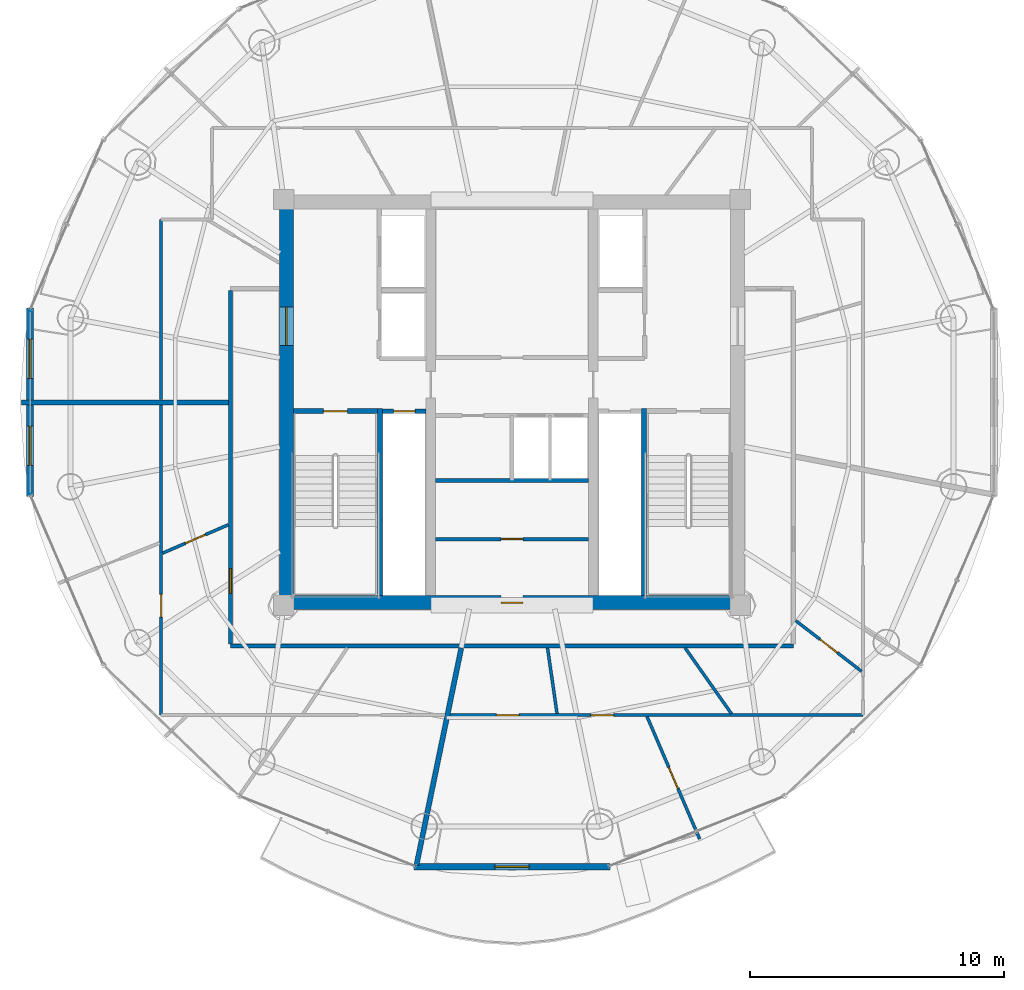
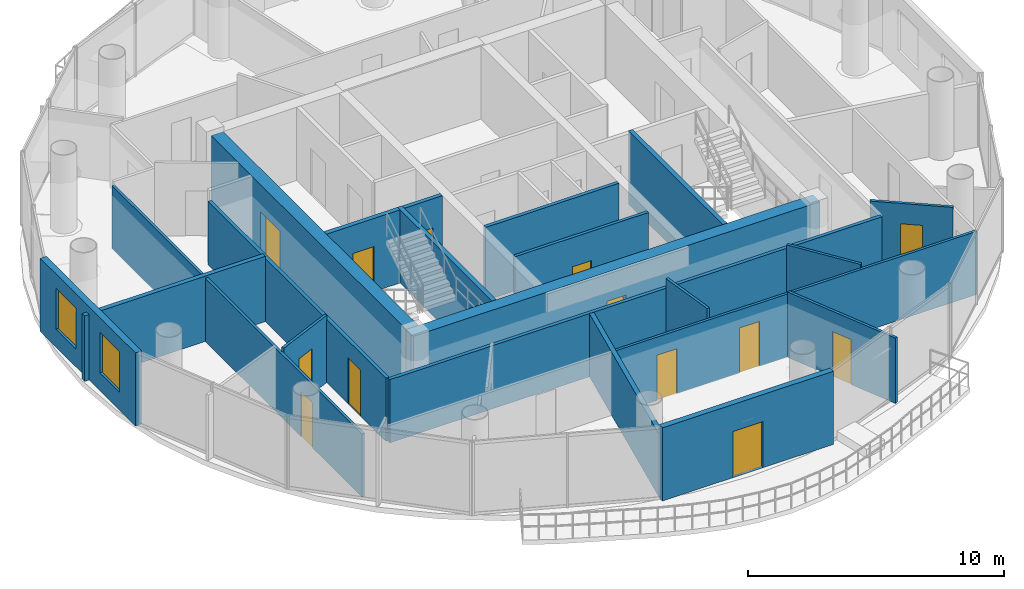
# One storey, part 17 of 23: 22 walls, 13 doors, 2 windows, 15 openings.
"""IFC4 building model written with IfcOpenShell, lengths in metres."""

from ifc_helpers import new_model, si_unit, direction, frame, frame_2d, origin, place, context, subcontext, project, spatial, rectangle, extrude, source, transform, mapped, material, layer, layer_set, type_object, element, fill, save


model = new_model("IFC4")

# Units and contexts
model_context = context("Model", 3, precision=1e-05, world=origin(), true_north=direction((-0.2419218956, 0.970295726276)))
body_context = subcontext(model_context, "Body", "Model", "MODEL_VIEW")
ifc_project = project(units=[si_unit("LENGTHUNIT", "METRE"), si_unit("AREAUNIT", "SQUARE_METRE"), si_unit("VOLUMEUNIT", "CUBIC_METRE"), si_unit("PLANEANGLEUNIT", "RADIAN"), si_unit("MASSUNIT", "GRAM", prefix="KILO")], contexts=[model_context])

# Site, building, storey
site_placement = place(None, origin())
site = spatial("IfcSite", under=ifc_project, at=site_placement, CompositionType="ELEMENT")
building_placement = place(site_placement, origin())
building = spatial("IfcBuilding", under=site, at=building_placement, Name="Cobrevalo Terracotta Tower", CompositionType="ELEMENT")
storey_placement = place(building_placement, frame((0.0, 0.0, 263.199951171875)))
storey = spatial("IfcBuildingStorey", under=building, at=storey_placement, Name="L69", CompositionType="ELEMENT", Elevation=263.199951171875)

# Wall, opening, door
ifc_material_1 = material(Name="Concrete C50", Category="concrete")
ifc_layer_1 = layer(ifc_material_1, 0.550048828125)
ifc_layer_set_1 = layer_set([ifc_layer_1], Name="Concrete C50")
wall_type_1 = type_object("IfcWallType", Name="Core shear wall 550 mm Concrete C50", PredefinedType="SHEAR", material=ifc_layer_set_1)
wall_1_placement = place(storey_placement, frame((28.824951171875, 18.89990234375, 0.0), z_axis=(0.0, 0.0, 1.0), x_axis=(1.0, 0.0, 0.0)))
wall_1 = element("IfcWall", 1, at=wall_1_placement, inside=storey, type_object=wall_type_1, Name="L69 south core shear wall", PredefinedType="SHEAR", context=body_context, shape_type="SweptSolid", body=[
    extrude(rectangle(XDim=18.35009765625, YDim=0.550048828125, at=frame_2d((9.175048828125, 0.0))), origin(), (0.0, 0.0, 1.0), 3.489990234375),
])
opening_1_placement = place(wall_1_placement, frame((8.75, 0.0, 0.0)))
opening_1 = element("IfcOpeningElement", 2, at=opening_1_placement, cuts=wall_1, Name="Opening ID-22", PredefinedType="OPENING", context=body_context, shape_type="SweptSolid", body=[
    extrude(rectangle(XDim=0.85009765625, YDim=2.10009765625, at=frame_2d((0.425048828125, 1.050048828125))), frame((0.0, 0.28515625, 0.0), z_axis=(0.0, -1.0, 0.0), x_axis=(1.0, 0.0, 0.0)), (0.0, 0.0, 1.0), 0.570068359375),
])
ifc_material_2 = material(Name="Powder-coated steel", Category="steel")
door_type_1 = type_object("IfcDoorType", Name="Riser shaft & meter closet fire access door 850x2100 EI 60", OperationType="NOTDEFINED", PredefinedType="DOOR", material=ifc_material_2)
shared_shape_1 = source(origin(), body_context, "Body", "SweptSolid", [
    extrude(rectangle(XDim=0.85009765625, YDim=2.10009765625, at=frame_2d((0.425048828125, 1.050048828125))), frame((0.0, 0.02490234375, 0.0), z_axis=(0.0, -1.0, 0.0), x_axis=(1.0, 0.0, 0.0)), (0.0, 0.0, 1.0), 0.050048828125),
])
door_1_placement = place(opening_1_placement, origin())
door_1 = element("IfcDoor", 3, at=door_1_placement, inside=storey, type_object=door_type_1, Name="L69 core south plant door Smoke Extract Fan Plant", OperationType="SINGLE_SWING_RIGHT", OverallHeight=2.10009765625, OverallWidth=0.85009765625, PredefinedType="DOOR", context=body_context, shape_type="MappedRepresentation", body=[
    mapped(shared_shape_1, transform((0.0, 0.0, 0.0), scale=1.0)),
])
fill(opening_1, door_1)

wall_2_placement = place(storey_placement, frame((29.10009765625, 19.175048828125, 0.0), z_axis=(0.0, 0.0, 1.0), x_axis=(0.0, 1.0, 0.0)))
wall_2 = element("IfcWall", 4, at=wall_2_placement, inside=storey, type_object=wall_type_1, Name="L69 west core shear wall", PredefinedType="SHEAR", context=body_context, shape_type="SweptSolid", body=[
    extrude(rectangle(XDim=15.25, YDim=0.550048828125, at=frame_2d((7.625, 0.0))), origin(), (0.0, 0.0, 1.0), 3.489990234375),
])
opening_2_placement = place(wall_2_placement, frame((9.875, 0.0, 0.0)))
opening_2 = element("IfcOpeningElement", 5, at=opening_2_placement, cuts=wall_2, Name="Opening ID-14", PredefinedType="OPENING", context=body_context, shape_type="SweptSolid", body=[
    extrude(rectangle(XDim=1.5, YDim=2.199951171875, at=frame_2d((0.75, 1.10009765625))), frame((0.0, 0.28515625, 0.0), z_axis=(0.0, -1.0, 0.0), x_axis=(1.0, 0.0, 0.0)), (0.0, 0.0, 1.0), 0.570068359375),
])
ifc_material_3 = material(Name="Galvanized fire-rated steel", Category="steel")
door_type_2 = type_object("IfcDoorType", Name="Core cross-lobby double fire door 1500x2200 EI 90", OperationType="NOTDEFINED", PredefinedType="DOOR", material=ifc_material_3)
shared_shape_2 = source(origin(), body_context, "Body", "SweptSolid", [
    extrude(rectangle(XDim=1.5, YDim=2.199951171875, at=frame_2d((0.75, 1.10009765625))), frame((0.0, 0.02490234375, 0.0), z_axis=(0.0, -1.0, 0.0), x_axis=(1.0, 0.0, 0.0)), (0.0, 0.0, 1.0), 0.050048828125),
])
door_2_placement = place(opening_2_placement, origin())
door_2 = element("IfcDoor", 6, at=door_2_placement, inside=storey, type_object=door_type_2, Name="L69 west firefighting lobby entrance door", OperationType="DOUBLE_DOOR_SINGLE_SWING", OverallHeight=2.199951171875, OverallWidth=1.5, PredefinedType="DOOR", context=body_context, shape_type="MappedRepresentation", body=[
    mapped(shared_shape_2, transform((0.0, 0.0, 0.0), scale=1.0)),
])
fill(opening_2, door_2)

# Walls
ifc_material_4 = material(Name="Gypsum board on steel stud", Category="steel")
ifc_layer_2 = layer(ifc_material_4, 0.159912109375)
ifc_layer_set_2 = layer_set([ifc_layer_2], Name="Gypsum board on steel stud")
wall_type_2 = type_object("IfcWallType", Name="Fire-rated corridor acoustic partition wall 160 mm", PredefinedType="PARTITIONING", material=ifc_layer_set_2)
wall_3_placement = place(storey_placement, frame((34.989990234375, 23.719970703125, 0.0), z_axis=(0.0, 0.0, 1.0), x_axis=(1.0, 0.0, 0.0)))
element("IfcWall", 7, at=wall_3_placement, inside=storey, type_object=wall_type_2, Name="L69 interior partition IW-L69-MB-S", PredefinedType="PARTITIONING", context=body_context, shape_type="SweptSolid", body=[
    extrude(rectangle(XDim=6.02001953125, YDim=0.159912109375, at=frame_2d((3.010009765625, 0.0))), origin(), (0.0, 0.0, 1.0), 3.489990234375),
])
wall_4_placement = place(storey_placement, frame((26.89501953125, 17.195068359375, 0.0), z_axis=(0.0, 0.0, 1.0), x_axis=(1.0, 0.0, 0.0)))
element("IfcWall", 8, at=wall_4_placement, inside=storey, type_object=wall_type_2, Name="L69 interior partition IW-L69-COR-S", PredefinedType="PARTITIONING", context=body_context, shape_type="SweptSolid", body=[
    extrude(rectangle(XDim=22.2099609375, YDim=0.159912109375, at=frame_2d((11.10498046875, 0.0))), origin(), (0.0, 0.0, 1.0), 3.01513671875),
])

# Wall, opening, door
wall_5_placement = place(storey_placement, frame((26.89501953125, 17.27490234375, 0.0), z_axis=(0.0, 0.0, 1.0), x_axis=(0.0, 1.0, 0.0)))
wall_5 = element("IfcWall", 9, at=wall_5_placement, inside=storey, type_object=wall_type_2, Name="L69 interior partition IW-L69-COR-W", PredefinedType="PARTITIONING", context=body_context, shape_type="SweptSolid", body=[
    extrude(rectangle(XDim=13.925048828125, YDim=0.159912109375, at=frame_2d((6.96240234375, 0.0))), origin(), (0.0, 0.0, 1.0), 3.01513671875),
])
opening_3_placement = place(wall_5_placement, frame((1.992431640625, 0.0, 0.0)))
opening_3 = element("IfcOpeningElement", 10, at=opening_3_placement, cuts=wall_5, Name="Opening ID-05", PredefinedType="OPENING", context=body_context, shape_type="SweptSolid", body=[
    extrude(rectangle(XDim=0.97998046875, YDim=2.199951171875, at=frame_2d((0.489990234375, 1.10009765625))), frame((0.0, 0.08984375, 0.0), z_axis=(0.0, -1.0, 0.0), x_axis=(1.0, 0.0, 0.0)), (0.0, 0.0, 1.0), 0.179931640625),
])
ifc_material_5 = material(Name="Solid hardwood timber", Category="wood")
door_type_3 = type_object("IfcDoorType", Name="Residence entrance fire-rated acoustic timber door 980x2200 EI 60", OperationType="NOTDEFINED", PredefinedType="DOOR", material=ifc_material_5)
shared_shape_3 = source(origin(), body_context, "Body", "SweptSolid", [
    extrude(rectangle(XDim=0.97998046875, YDim=2.199951171875, at=frame_2d((0.489990234375, 1.10009765625))), frame((0.0, 0.02490234375, 0.0), z_axis=(0.0, -1.0, 0.0), x_axis=(1.0, 0.0, 0.0)), (0.0, 0.0, 1.0), 0.050048828125),
])
door_3_placement = place(opening_3_placement, origin())
door_3 = element("IfcDoor", 11, at=door_3_placement, inside=storey, type_object=door_type_3, Name="Flat L69B fire-rated apartment entrance door", OperationType="SINGLE_SWING_LEFT", OverallHeight=2.199951171875, OverallWidth=0.97998046875, PredefinedType="DOOR", context=body_context, shape_type="MappedRepresentation", body=[
    mapped(shared_shape_3, transform((0.0, 0.0, 0.0), scale=1.0)),
])
fill(opening_3, door_3)

ifc_layer_3 = layer(ifc_material_4, 0.179931640625)
ifc_layer_set_3 = layer_set([ifc_layer_3], Name="Gypsum board on steel stud")
wall_type_3 = type_object("IfcWallType", Name="Fire-rated shaft & lobby acoustic partition wall 180 mm", PredefinedType="PARTITIONING", material=ifc_layer_set_3)
wall_6_placement = place(storey_placement, frame((32.89990234375, 26.449951171875, 0.0), z_axis=(0.0, 0.0, 1.0), x_axis=(1.0, 0.0, 0.0)))
wall_6 = element("IfcWall", 12, at=wall_6_placement, inside=storey, type_object=wall_type_3, Name="L69 interior partition IW-L69-RSW-N", PredefinedType="PARTITIONING", context=body_context, shape_type="SweptSolid", body=[
    extrude(rectangle(XDim=1.710205078125, YDim=0.179931640625, at=frame_2d((0.85498046875, 0.0))), origin(), (0.0, 0.0, 1.0), 3.489990234375),
])
opening_4_placement = place(wall_6_placement, frame((0.429931640625, 0.0, 0.0)))
opening_4 = element("IfcOpeningElement", 13, at=opening_4_placement, cuts=wall_6, Name="Opening ID-22", PredefinedType="OPENING", context=body_context, shape_type="SweptSolid", body=[
    extrude(rectangle(XDim=0.85009765625, YDim=2.10009765625, at=frame_2d((0.425048828125, 1.050048828125))), frame((0.0, 0.10009765625, 0.0), z_axis=(0.0, -1.0, 0.0), x_axis=(1.0, 0.0, 0.0)), (0.0, 0.0, 1.0), 0.199951171875),
])
door_4_placement = place(opening_4_placement, origin())
door_4 = element("IfcDoor", 14, at=door_4_placement, inside=storey, type_object=door_type_1, Name="L69 riser access door RSW", OperationType="SINGLE_SWING_LEFT", OverallHeight=2.10009765625, OverallWidth=0.85009765625, PredefinedType="DOOR", context=body_context, shape_type="MappedRepresentation", body=[
    mapped(shared_shape_1, transform((0.0, 0.0, 0.0), scale=1.0)),
])
fill(opening_4, door_4)

# Walls
ifc_material_6 = material(Name="Autoclaved aerated concrete block", Category="concrete")
ifc_layer_4 = layer(ifc_material_6, 0.199951171875)
ifc_layer_set_4 = layer_set([ifc_layer_4], Name="Autoclaved aerated concrete block")
wall_type_4 = type_object("IfcWallType", Name="Fire-rated stair, shaft & demising masonry wall 200 mm", PredefinedType="PARTITIONING", material=ifc_layer_set_4)
wall_7_placement = place(storey_placement, frame((26.81494140625, 26.800048828125, 0.0), z_axis=(0.0, 0.0, 1.0), x_axis=(-1.0, 0.0, 0.0)))
element("IfcWall", 15, at=wall_7_placement, inside=storey, type_object=wall_type_4, Name="L69 interior partition IW-L69-DEM-2", PredefinedType="PARTITIONING", context=body_context, shape_type="SweptSolid", body=[
    extrude(rectangle(XDim=8.155029296875, YDim=0.199951171875, at=frame_2d((4.07763671875, 0.0))), origin(), (0.0, 0.0, 1.0), 3.12109375),
])
wall_8_placement = place(storey_placement, frame((36.00146484375, 17.114990234375, 0.0), z_axis=(0.0, 0.0, 1.0), x_axis=(-0.202108543081, -0.979363128167, 0.0)))
element("IfcWall", 16, at=wall_8_placement, inside=storey, type_object=wall_type_4, Name="L69 interior partition IW-L69-DEM-3", PredefinedType="PARTITIONING", context=body_context, shape_type="SweptSolid", body=[
    extrude(rectangle(XDim=8.738525390625, YDim=0.199951171875, at=frame_2d((4.369140625, 0.0))), origin(), (0.0, 0.0, 1.0), 3.01513671875),
])

# Wall, openings, windows
ifc_layer_5 = layer(ifc_material_6, 0.280029296875)
ifc_layer_set_5 = layer_set([ifc_layer_5], Name="Autoclaved aerated concrete block")
wall_type_5 = type_object("IfcWallType", Name="Insulated tower spandrel & pier wall 280 mm with terracotta rainscreen", PredefinedType="SOLIDWALL", material=ifc_layer_set_5)
wall_9_placement = place(storey_placement, frame((19.002197265625, 30.522216796875, 0.0), z_axis=(0.0, 0.0, 1.0), x_axis=(0.0, -1.0, 0.0)))
wall_9 = element("IfcWall", 17, at=wall_9_placement, inside=storey, type_object=wall_type_5, Name="L69 terracotta rainscreen pier wall S08", PredefinedType="SOLIDWALL", context=body_context, shape_type="SweptSolid", body=[
    extrude(rectangle(XDim=7.444580078125, YDim=0.280029296875, at=frame_2d((3.72216796875, 0.0))), origin(), (0.0, 0.0, 1.0), 3.489990234375),
])
opening_5_placement = place(wall_9_placement, frame((1.235107421875, 0.0, 0.85009765625)))
opening_5 = element("IfcOpeningElement", 18, at=opening_5_placement, cuts=wall_9, Name="Opening WN-12", PredefinedType="OPENING", context=body_context, shape_type="SweptSolid", body=[
    extrude(rectangle(XDim=1.550048828125, YDim=1.949951171875, at=frame_2d((0.77490234375, 0.97509765625))), frame((0.0, 0.14990234375, 0.0), z_axis=(0.0, -1.0, 0.0), x_axis=(1.0, 0.0, 0.0)), (0.0, 0.0, 1.0), 0.300048828125),
])
opening_6_placement = place(wall_9_placement, frame((4.65966796875, 0.0, 0.85009765625)))
opening_6 = element("IfcOpeningElement", 19, at=opening_6_placement, cuts=wall_9, Name="Opening WN-12", PredefinedType="OPENING", context=body_context, shape_type="SweptSolid", body=[
    extrude(rectangle(XDim=1.550048828125, YDim=1.949951171875, at=frame_2d((0.77490234375, 0.97509765625))), frame((0.0, 0.14990234375, 0.0), z_axis=(0.0, -1.0, 0.0), x_axis=(1.0, 0.0, 0.0)), (0.0, 0.0, 1.0), 0.300048828125),
])
ifc_material_7 = material(Name="Solar-control low-E double glazing", Category="glass")
window_type = type_object("IfcWindowType", Name="Solar-control low-E aluminium window 1550x1950", PartitioningType="SINGLE_PANEL", PredefinedType="WINDOW", material=ifc_material_7)
shared_shape_4 = source(origin(), body_context, "Body", "SweptSolid", [
    extrude(rectangle(XDim=1.550048828125, YDim=1.949951171875, at=frame_2d((0.77490234375, 0.97509765625))), frame((0.0, 0.030029296875, 0.0), z_axis=(0.0, -1.0, 0.0), x_axis=(1.0, 0.0, 0.0)), (0.0, 0.0, 1.0), 0.06005859375),
])
window_1_placement = place(opening_5_placement, origin())
window_1 = element("IfcWindow", 20, at=window_1_placement, inside=storey, type_object=window_type, Name="L69 suite window S08A", OverallHeight=1.949951171875, OverallWidth=1.550048828125, PartitioningType="SINGLE_PANEL", PredefinedType="WINDOW", context=body_context, shape_type="MappedRepresentation", body=[
    mapped(shared_shape_4, transform((0.0, 0.0, 0.0), scale=1.0)),
])
fill(opening_5, window_1)
window_2_placement = place(opening_6_placement, origin())
window_2 = element("IfcWindow", 21, at=window_2_placement, inside=storey, type_object=window_type, Name="L69 suite window S08B", OverallHeight=1.949951171875, OverallWidth=1.550048828125, PartitioningType="SINGLE_PANEL", PredefinedType="WINDOW", context=body_context, shape_type="MappedRepresentation", body=[
    mapped(shared_shape_4, transform((0.0, 0.0, 0.0), scale=1.0)),
])
fill(opening_6, window_2)

# Wall, opening, door
ifc_layer_6 = layer(ifc_material_6, 0.139892578125)
ifc_layer_set_6 = layer_set([ifc_layer_6], Name="Autoclaved aerated concrete block")
wall_type_6 = type_object("IfcWallType", Name="Moisture-resistant wet-room & core service partition 140 mm", PredefinedType="PARTITIONING", material=ifc_layer_set_6)
wall_10_placement = place(storey_placement, frame((34.989990234375, 21.407470703125, 0.0), z_axis=(0.0, 0.0, 1.0), x_axis=(1.0, 0.0, 0.0)))
wall_10 = element("IfcWall", 22, at=wall_10_placement, inside=storey, type_object=wall_type_6, Name="L69 interior partition IW-L69-KVS-H", PredefinedType="PARTITIONING", context=body_context, shape_type="SweptSolid", body=[
    extrude(rectangle(XDim=6.02001953125, YDim=0.139892578125, at=frame_2d((3.010009765625, 0.0))), origin(), (0.0, 0.0, 1.0), 3.489990234375),
])
opening_7_placement = place(wall_10_placement, frame((2.5849609375, 0.0, 0.0)))
opening_7 = element("IfcOpeningElement", 23, at=opening_7_placement, cuts=wall_10, Name="Opening ID-22", PredefinedType="OPENING", context=body_context, shape_type="SweptSolid", body=[
    extrude(rectangle(XDim=0.85009765625, YDim=2.10009765625, at=frame_2d((0.425048828125, 1.050048828125))), frame((0.0, 0.080078125, 0.0), z_axis=(0.0, -1.0, 0.0), x_axis=(1.0, 0.0, 0.0)), (0.0, 0.0, 1.0), 0.159912109375),
])
door_5_placement = place(opening_7_placement, origin())
door_5 = element("IfcDoor", 24, at=door_5_placement, inside=storey, type_object=door_type_1, Name="L69 core manifold inner door", OperationType="SINGLE_SWING_LEFT", OverallHeight=2.10009765625, OverallWidth=0.85009765625, PredefinedType="DOOR", context=body_context, shape_type="MappedRepresentation", body=[
    mapped(shared_shape_1, transform((0.0, 0.0, 0.0), scale=1.0)),
])
fill(opening_7, door_5)

ifc_layer_7 = layer(ifc_material_6, 0.260009765625)
ifc_layer_set_7 = layer_set([ifc_layer_7], Name="Autoclaved aerated concrete block")
wall_type_7 = type_object("IfcWallType", Name="Recessed balcony loggia insulated exterior wall 260 mm", PredefinedType="SOLIDWALL", material=ifc_layer_set_7)
wall_11_placement = place(storey_placement, frame((34.14111328125, 8.48876953125, 0.0), z_axis=(0.0, 0.0, 1.0), x_axis=(1.0, 0.0, 0.0)))
wall_11 = element("IfcWall", 25, at=wall_11_placement, inside=storey, type_object=wall_type_7, Name="L69 balcony loggia wall S12", PredefinedType="SOLIDWALL", context=body_context, shape_type="SweptSolid", body=[
    extrude(rectangle(XDim=7.7177734375, YDim=0.260009765625, at=frame_2d((3.85888671875, 0.0))), origin(), (0.0, 0.0, 1.0), 3.489990234375),
])
opening_8_placement = place(wall_11_placement, frame((3.183837890625, 0.0, 0.0)))
opening_8 = element("IfcOpeningElement", 26, at=opening_8_placement, cuts=wall_11, Name="Opening ED-05", PredefinedType="OPENING", context=body_context, shape_type="SweptSolid", body=[
    extrude(rectangle(XDim=1.35009765625, YDim=2.199951171875, at=frame_2d((0.675048828125, 1.10009765625))), frame((0.0, 0.14013671875, 0.0), z_axis=(0.0, -1.0, 0.0), x_axis=(1.0, 0.0, 0.0)), (0.0, 0.0, 1.0), 0.280029296875),
])
ifc_material_8 = material(Name="Anodized aluminium and laminated glass", Category="aluminium")
door_type_4 = type_object("IfcDoorType", Name="Suite balcony acoustic glazed terrace door 1350x2200", OperationType="NOTDEFINED", PredefinedType="DOOR", material=ifc_material_8)
shared_shape_5 = source(origin(), body_context, "Body", "SweptSolid", [
    extrude(rectangle(XDim=1.35009765625, YDim=2.199951171875, at=frame_2d((0.675048828125, 1.10009765625))), frame((0.0, 0.02490234375, 0.0), z_axis=(0.0, -1.0, 0.0), x_axis=(1.0, 0.0, 0.0)), (0.0, 0.0, 1.0), 0.050048828125),
])
door_6_placement = place(opening_8_placement, frame((1.35009765625, 0.0, 0.0), z_axis=(0.0, 0.0, 1.0), x_axis=(-1.0, 0.0, 0.0)))
door_6 = element("IfcDoor", 27, at=door_6_placement, inside=storey, type_object=door_type_4, Name="L69 glazed balcony terrace door 2", OperationType="SINGLE_SWING_RIGHT", OverallHeight=2.199951171875, OverallWidth=1.35009765625, PredefinedType="DOOR", context=body_context, shape_type="MappedRepresentation", body=[
    mapped(shared_shape_5, transform((0.0, 0.0, 0.0), scale=1.0)),
])
fill(opening_8, door_6)

# Wall
ifc_layer_8 = layer(ifc_material_4, 0.1201171875)
ifc_layer_set_8 = layer_set([ifc_layer_8], Name="Gypsum board on steel stud")
wall_type_8 = type_object("IfcWallType", Name="Residential internal acoustic stud partition 120 mm", PredefinedType="PARTITIONING", material=ifc_layer_set_8)
wall_12_placement = place(storey_placement, frame((24.1650390625, 26.902099609375, 0.0), z_axis=(0.0, 0.0, 1.0), x_axis=(0.0, 1.0, 0.0)))
element("IfcWall", 28, at=wall_12_placement, inside=storey, type_object=wall_type_8, Name="L69 interior partition IW-L69-U1-RING0_0", PredefinedType="PARTITIONING", context=body_context, shape_type="SweptSolid", body=[
    extrude(rectangle(XDim=7.10791015625, YDim=0.1201171875, at=frame_2d((3.553955078125, 0.0))), origin(), (0.0, 0.0, 1.0), 3.01513671875),
])

# Wall, opening, door
wall_13_placement = place(storey_placement, frame((24.1650390625, 14.465087890625, 0.0), z_axis=(0.0, 0.0, 1.0), x_axis=(0.0, 1.0, 0.0)))
wall_13 = element("IfcWall", 29, at=wall_13_placement, inside=storey, type_object=wall_type_8, Name="L69 interior partition IW-L69-U2-RING1_0", PredefinedType="PARTITIONING", context=body_context, shape_type="SweptSolid", body=[
    extrude(rectangle(XDim=12.23291015625, YDim=0.1201171875, at=frame_2d((6.116455078125, 0.0))), origin(), (0.0, 0.0, 1.0), 3.01513671875),
])
opening_9_placement = place(wall_13_placement, frame((3.86279296875, 0.0, 0.0)))
opening_9 = element("IfcOpeningElement", 30, at=opening_9_placement, cuts=wall_13, Name="Opening ID-12", PredefinedType="OPENING", context=body_context, shape_type="SweptSolid", body=[
    extrude(rectangle(XDim=0.89990234375, YDim=2.14990234375, at=frame_2d((0.449951171875, 1.074951171875))), frame((0.0, 0.070068359375, 0.0), z_axis=(0.0, -1.0, 0.0), x_axis=(1.0, 0.0, 0.0)), (0.0, 0.0, 1.0), 0.14013671875),
])
ifc_material_9 = material(Name="Engineered timber", Category="wood")
door_type_5 = type_object("IfcDoorType", Name="Internal residence & suite timber door 900x2150", OperationType="NOTDEFINED", PredefinedType="DOOR", material=ifc_material_9)
shared_shape_6 = source(origin(), body_context, "Body", "SweptSolid", [
    extrude(rectangle(XDim=0.89990234375, YDim=2.14990234375, at=frame_2d((0.449951171875, 1.074951171875))), frame((0.0, 0.02490234375, 0.0), z_axis=(0.0, -1.0, 0.0), x_axis=(1.0, 0.0, 0.0)), (0.0, 0.0, 1.0), 0.050048828125),
])
door_7_placement = place(opening_9_placement, origin())
door_7 = element("IfcDoor", 31, at=door_7_placement, inside=storey, type_object=door_type_5, Name="Flat L69B Master Bedroom internal door", OperationType="SINGLE_SWING_RIGHT", OverallHeight=2.14990234375, OverallWidth=0.89990234375, PredefinedType="DOOR", context=body_context, shape_type="MappedRepresentation", body=[
    mapped(shared_shape_6, transform((0.0, 0.0, 0.0), scale=1.0)),
])
fill(opening_9, door_7)

wall_14_placement = place(storey_placement, frame((26.81494140625, 21.9716796875, 0.0), z_axis=(0.0, 0.0, 1.0), x_axis=(-0.918135987469, -0.396265452082, 0.0)))
wall_14 = element("IfcWall", 32, at=wall_14_placement, inside=storey, type_object=wall_type_8, Name="L69 interior partition IW-L69-U2-IRAD1", PredefinedType="PARTITIONING", context=body_context, shape_type="SweptSolid", body=[
    extrude(rectangle(XDim=2.82421875, YDim=0.1201171875, at=frame_2d((1.412109375, 0.0))), origin(), (0.0, 0.0, 1.0), 3.208984375),
])
opening_10_placement = place(wall_14_placement, frame((0.982177734375, 0.0, 0.0)))
opening_10 = element("IfcOpeningElement", 33, at=opening_10_placement, cuts=wall_14, Name="Opening ID-19", PredefinedType="OPENING", context=body_context, shape_type="SweptSolid", body=[
    extrude(rectangle(XDim=0.860107421875, YDim=2.14990234375, at=frame_2d((0.43017578125, 1.074951171875))), frame((0.0, 0.070068359375, 0.0), z_axis=(0.0, -1.0, 0.0), x_axis=(1.0, 0.0, 0.0)), (0.0, 0.0, 1.0), 0.14013671875),
])
ifc_material_10 = material(Name="Moisture-sealed timber", Category="wood")
door_type_6 = type_object("IfcDoorType", Name="Suite bathroom internal timber door 860x2150", OperationType="NOTDEFINED", PredefinedType="DOOR", material=ifc_material_10)
shared_shape_7 = source(origin(), body_context, "Body", "SweptSolid", [
    extrude(rectangle(XDim=0.860107421875, YDim=2.14990234375, at=frame_2d((0.43017578125, 1.074951171875))), frame((0.0, 0.02490234375, 0.0), z_axis=(0.0, -1.0, 0.0), x_axis=(1.0, 0.0, 0.0)), (0.0, 0.0, 1.0), 0.050048828125),
])
door_8_placement = place(opening_10_placement, frame((0.860107421875, 0.0, 0.0), z_axis=(0.0, 0.0, 1.0), x_axis=(-1.0, 0.0, 0.0)))
door_8 = element("IfcDoor", 34, at=door_8_placement, inside=storey, type_object=door_type_6, Name="Flat L69B Primary Bathroom internal door", OperationType="SINGLE_SWING_RIGHT", OverallHeight=2.14990234375, OverallWidth=0.860107421875, PredefinedType="DOOR", context=body_context, shape_type="MappedRepresentation", body=[
    mapped(shared_shape_7, transform((0.0, 0.0, 0.0), scale=1.0)),
])
fill(opening_10, door_8)

# Wall, openings, doors
wall_15_placement = place(storey_placement, frame((51.8349609375, 14.465087890625, 0.0), z_axis=(0.0, 0.0, 1.0), x_axis=(-1.0, 0.0, 0.0)))
wall_15 = element("IfcWall", 35, at=wall_15_placement, inside=storey, type_object=wall_type_8, Name="L69 interior partition IW-L69-U3-RING1_0", PredefinedType="PARTITIONING", context=body_context, shape_type="SweptSolid", body=[
    extrude(rectangle(XDim=16.2783203125, YDim=0.1201171875, at=frame_2d((8.13916015625, 0.0))), origin(), (0.0, 0.0, 1.0), 3.01513671875),
])
opening_11_placement = place(wall_15_placement, frame((9.82958984375, 0.0, 0.0)))
opening_11 = element("IfcOpeningElement", 36, at=opening_11_placement, cuts=wall_15, Name="Opening ID-12", PredefinedType="OPENING", context=body_context, shape_type="SweptSolid", body=[
    extrude(rectangle(XDim=0.89990234375, YDim=2.14990234375, at=frame_2d((0.449951171875, 1.074951171875))), frame((0.0, 0.070068359375, 0.0), z_axis=(0.0, -1.0, 0.0), x_axis=(1.0, 0.0, 0.0)), (0.0, 0.0, 1.0), 0.14013671875),
])
opening_12_placement = place(wall_15_placement, frame((13.554443359375, 0.0, 0.0)))
opening_12 = element("IfcOpeningElement", 37, at=opening_12_placement, cuts=wall_15, Name="Opening ID-12", PredefinedType="OPENING", context=body_context, shape_type="SweptSolid", body=[
    extrude(rectangle(XDim=0.89990234375, YDim=2.14990234375, at=frame_2d((0.449951171875, 1.074951171875))), frame((0.0, 0.070068359375, 0.0), z_axis=(0.0, -1.0, 0.0), x_axis=(1.0, 0.0, 0.0)), (0.0, 0.0, 1.0), 0.14013671875),
])
door_9_placement = place(opening_11_placement, frame((0.89990234375, 0.0, 0.0), z_axis=(0.0, 0.0, 1.0), x_axis=(-1.0, 0.0, 0.0)))
door_9 = element("IfcDoor", 38, at=door_9_placement, inside=storey, type_object=door_type_5, Name="Flat L69C Kitchen internal door", OperationType="SINGLE_SWING_RIGHT", OverallHeight=2.14990234375, OverallWidth=0.89990234375, PredefinedType="DOOR", context=body_context, shape_type="MappedRepresentation", body=[
    mapped(shared_shape_6, transform((0.0, 0.0, 0.0), scale=1.0)),
])
fill(opening_11, door_9)
door_10_placement = place(opening_12_placement, frame((0.89990234375, 0.0, 0.0), z_axis=(0.0, 0.0, 1.0), x_axis=(-1.0, 0.0, 0.0)))
door_10 = element("IfcDoor", 39, at=door_10_placement, inside=storey, type_object=door_type_5, Name="Flat L69C Private Library Meeting Room internal door", OperationType="SINGLE_SWING_LEFT", OverallHeight=2.14990234375, OverallWidth=0.89990234375, PredefinedType="DOOR", context=body_context, shape_type="MappedRepresentation", body=[
    mapped(shared_shape_6, transform((0.0, 0.0, 0.0), scale=1.0)),
])
fill(opening_12, door_10)

# Wall, opening, door
wall_16_placement = place(storey_placement, frame((43.324951171875, 14.407958984375, 0.0), z_axis=(0.0, 0.0, 1.0), x_axis=(0.394816056217, -0.918760187292, 0.0)))
wall_16 = element("IfcWall", 40, at=wall_16_placement, inside=storey, type_object=wall_type_8, Name="L69 interior partition IW-L69-U3-ORAD1", PredefinedType="PARTITIONING", context=body_context, shape_type="SweptSolid", body=[
    extrude(rectangle(XDim=5.256103515625, YDim=0.1201171875, at=frame_2d((2.6279296875, 0.0))), origin(), (0.0, 0.0, 1.0), 3.12109375),
])
opening_13_placement = place(wall_16_placement, frame((2.177978515625, 0.0, 0.0)))
opening_13 = element("IfcOpeningElement", 41, at=opening_13_placement, cuts=wall_16, Name="Opening ID-12", PredefinedType="OPENING", context=body_context, shape_type="SweptSolid", body=[
    extrude(rectangle(XDim=0.89990234375, YDim=2.14990234375, at=frame_2d((0.449951171875, 1.074951171875))), frame((0.0, 0.070068359375, 0.0), z_axis=(0.0, -1.0, 0.0), x_axis=(1.0, 0.0, 0.0)), (0.0, 0.0, 1.0), 0.14013671875),
])
door_11_placement = place(opening_13_placement, frame((0.89990234375, 0.0, 0.0), z_axis=(0.0, 0.0, 1.0), x_axis=(-1.0, 0.0, 0.0)))
door_11 = element("IfcDoor", 42, at=door_11_placement, inside=storey, type_object=door_type_5, Name="Flat L69C Living and Dining Room internal door", OperationType="SINGLE_SWING_LEFT", OverallHeight=2.14990234375, OverallWidth=0.89990234375, PredefinedType="DOOR", context=body_context, shape_type="MappedRepresentation", body=[
    mapped(shared_shape_6, transform((0.0, 0.0, 0.0), scale=1.0)),
])
fill(opening_13, door_11)

# Walls
wall_17_placement = place(storey_placement, frame((39.401611328125, 17.114990234375, 0.0), z_axis=(0.0, 0.0, 1.0), x_axis=(0.143185278857, -0.989695900728, 0.0)))
element("IfcWall", 43, at=wall_17_placement, inside=storey, type_object=wall_type_8, Name="L69 interior partition IW-L69-U3-IRAD1", PredefinedType="PARTITIONING", context=body_context, shape_type="SweptSolid", body=[
    extrude(rectangle(XDim=2.615478515625, YDim=0.1201171875, at=frame_2d((1.3076171875, 0.0))), origin(), (0.0, 0.0, 1.0), 3.489990234375),
])
wall_18_placement = place(storey_placement, frame((44.825927734375, 17.114990234375, 0.0), z_axis=(0.0, 0.0, 1.0), x_axis=(0.57609227969, -0.817384661761, 0.0)))
element("IfcWall", 44, at=wall_18_placement, inside=storey, type_object=wall_type_8, Name="L69 interior partition IW-L69-U3-IRAD2", PredefinedType="PARTITIONING", context=body_context, shape_type="SweptSolid", body=[
    extrude(rectangle(XDim=3.18017578125, YDim=0.1201171875, at=frame_2d((1.590087890625, 0.0))), origin(), (0.0, 0.0, 1.0), 3.208984375),
])

# Wall, opening, door
wall_19_placement = place(storey_placement, frame((49.18505859375, 18.1923828125, 0.0), z_axis=(0.0, 0.0, 1.0), x_axis=(0.792502290575, -0.609868936275, 0.0)))
wall_19 = element("IfcWall", 45, at=wall_19_placement, inside=storey, type_object=wall_type_8, Name="L69 interior partition IW-L69-U3-IRAD3", PredefinedType="PARTITIONING", context=body_context, shape_type="SweptSolid", body=[
    extrude(rectangle(XDim=3.28173828125, YDim=0.1201171875, at=frame_2d((1.640869140625, 0.0))), origin(), (0.0, 0.0, 1.0), 3.12109375),
])
opening_14_placement = place(wall_19_placement, frame((1.2109375, 0.0, 0.0)))
opening_14 = element("IfcOpeningElement", 46, at=opening_14_placement, cuts=wall_19, Name="Opening ID-19", PredefinedType="OPENING", context=body_context, shape_type="SweptSolid", body=[
    extrude(rectangle(XDim=0.860107421875, YDim=2.14990234375, at=frame_2d((0.43017578125, 1.074951171875))), frame((0.0, 0.070068359375, 0.0), z_axis=(0.0, -1.0, 0.0), x_axis=(1.0, 0.0, 0.0)), (0.0, 0.0, 1.0), 0.14013671875),
])
door_12_placement = place(opening_14_placement, frame((0.860107421875, 0.0, 0.0), z_axis=(0.0, 0.0, 1.0), x_axis=(-1.0, 0.0, 0.0)))
door_12 = element("IfcDoor", 47, at=door_12_placement, inside=storey, type_object=door_type_6, Name="Flat L69C Primary Bathroom internal door", OperationType="SINGLE_SWING_RIGHT", OverallHeight=2.14990234375, OverallWidth=0.860107421875, PredefinedType="DOOR", context=body_context, shape_type="MappedRepresentation", body=[
    mapped(shared_shape_7, transform((0.0, 0.0, 0.0), scale=1.0)),
])
fill(opening_14, door_12)

# Wall
ifc_layer_9 = layer(ifc_material_1, 0.199951171875)
ifc_layer_set_9 = layer_set([ifc_layer_9], Name="Concrete C50")
wall_type_9 = type_object("IfcWallType", Name="Structural core & podium stair-shaft RC wall 200 mm Concrete C50", PredefinedType="SOLIDWALL", material=ifc_layer_set_9)
wall_20_placement = place(storey_placement, frame((32.794921875, 19.175048828125, 0.0), z_axis=(0.0, 0.0, 1.0), x_axis=(0.0, 1.0, 0.0)))
element("IfcWall", 48, at=wall_20_placement, inside=storey, type_object=wall_type_9, Name="L69 ST-1 east structural shaft wall", PredefinedType="SOLIDWALL", context=body_context, shape_type="SweptSolid", body=[
    extrude(rectangle(XDim=7.375, YDim=0.199951171875, at=frame_2d((3.6875, 0.0))), origin(), (0.0, 0.0, 1.0), 3.489990234375),
])

# Wall, opening, door
wall_21_placement = place(storey_placement, frame((29.375, 26.449951171875, 0.0), z_axis=(0.0, 0.0, 1.0), x_axis=(1.0, 0.0, 0.0)))
wall_21 = element("IfcWall", 49, at=wall_21_placement, inside=storey, type_object=wall_type_9, Name="L69 ST-1 north structural shaft wall", PredefinedType="SOLIDWALL", context=body_context, shape_type="SweptSolid", body=[
    extrude(rectangle(XDim=3.320068359375, YDim=0.199951171875, at=frame_2d((1.66015625, 0.0))), origin(), (0.0, 0.0, 1.0), 3.489990234375),
])
opening_15_placement = place(wall_21_placement, frame((1.18505859375, 0.0, 0.0)))
opening_15 = element("IfcOpeningElement", 50, at=opening_15_placement, cuts=wall_21, Name="Opening ID-04", PredefinedType="OPENING", context=body_context, shape_type="SweptSolid", body=[
    extrude(rectangle(XDim=0.949951171875, YDim=2.14990234375, at=frame_2d((0.47509765625, 1.074951171875))), frame((0.0, 0.10986328125, 0.0), z_axis=(0.0, -1.0, 0.0), x_axis=(1.0, 0.0, 0.0)), (0.0, 0.0, 1.0), 0.219970703125),
])
door_type_7 = type_object("IfcDoorType", Name="Stair & firefighting lobby fire door 950x2150 EI 90", OperationType="NOTDEFINED", PredefinedType="DOOR", material=ifc_material_3)
shared_shape_8 = source(origin(), body_context, "Body", "SweptSolid", [
    extrude(rectangle(XDim=0.949951171875, YDim=2.14990234375, at=frame_2d((0.47509765625, 1.074951171875))), frame((0.0, 0.02490234375, 0.0), z_axis=(0.0, -1.0, 0.0), x_axis=(1.0, 0.0, 0.0)), (0.0, 0.0, 1.0), 0.050048828125),
])
door_13_placement = place(opening_15_placement, origin())
door_13 = element("IfcDoor", 51, at=door_13_placement, inside=storey, type_object=door_type_7, Name="L69 protected stair ST1 fire door", OperationType="SINGLE_SWING_LEFT", OverallHeight=2.14990234375, OverallWidth=0.949951171875, PredefinedType="DOOR", context=body_context, shape_type="MappedRepresentation", body=[
    mapped(shared_shape_8, transform((0.0, 0.0, 0.0), scale=1.0)),
])
fill(opening_15, door_13)

# Wall
wall_22_placement = place(storey_placement, frame((43.205078125, 19.175048828125, 0.0), z_axis=(0.0, 0.0, 1.0), x_axis=(0.0, 1.0, 0.0)))
element("IfcWall", 52, at=wall_22_placement, inside=storey, type_object=wall_type_9, Name="L69 ST-2 west structural shaft wall", PredefinedType="SOLIDWALL", context=body_context, shape_type="SweptSolid", body=[
    extrude(rectangle(XDim=7.375, YDim=0.199951171875, at=frame_2d((3.6875, 0.0))), origin(), (0.0, 0.0, 1.0), 3.489990234375),
])

save(model, "model.ifc")
